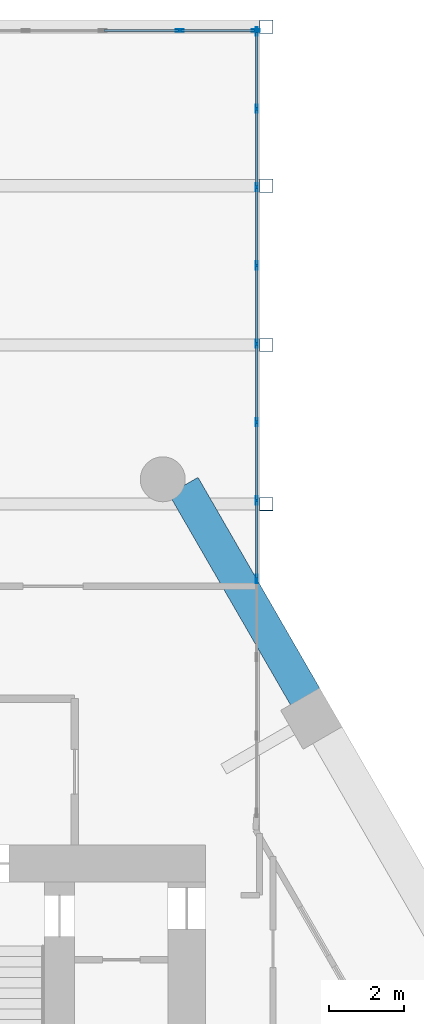
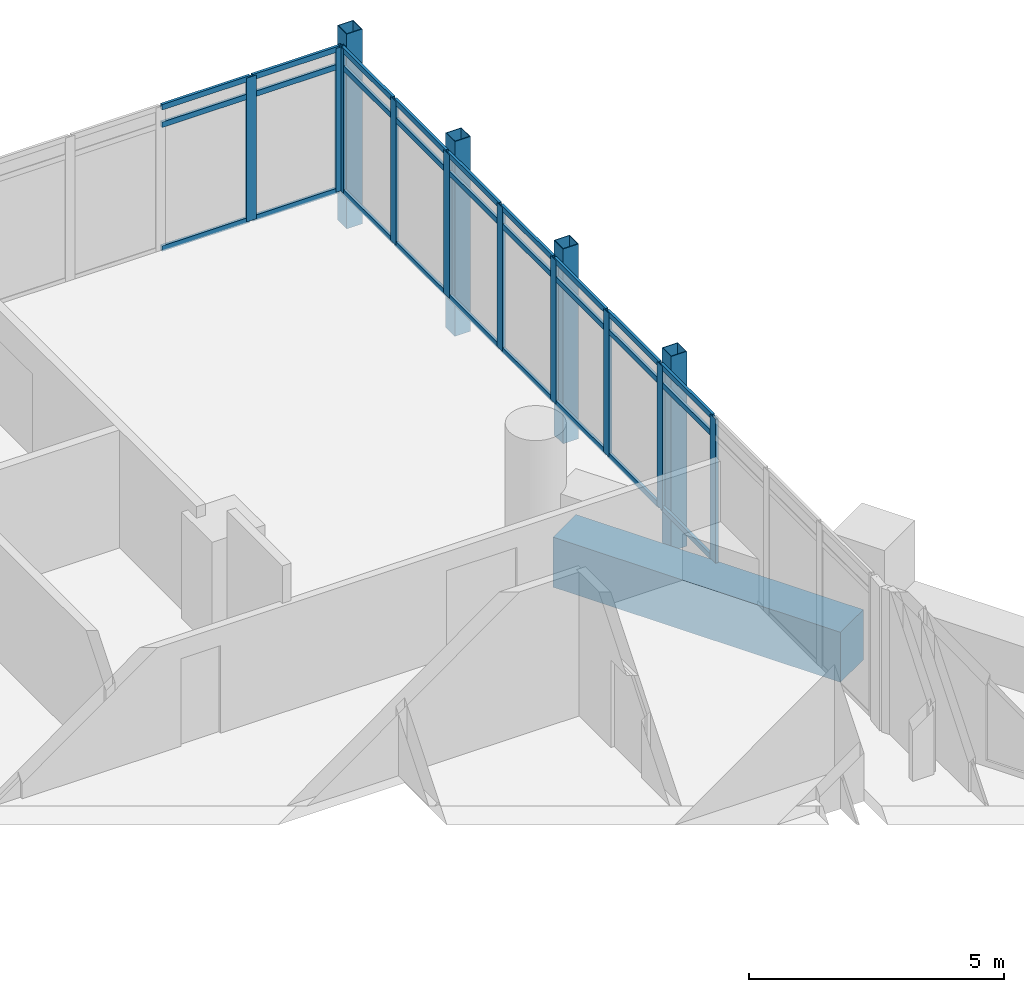
# One storey, part 19 of 28: 41 members, 1 beam, 2 elements without a shape of their own.
"""IFC4 building model written with IfcOpenShell, lengths in metres."""

from ifc_helpers import new_model, si_unit, direction, frame, origin, origin_2d, place, context, subcontext, project, spatial, rectangle, hollow_rectangle, extrude, material, material_profile, profile_set, type_object, element, aggregate, save


model = new_model("IFC4")

# Units and contexts
model_context = context("Model", 3, precision=1e-05, world=origin(), true_north=direction((0.0, 1.0)))
body_context = subcontext(model_context, "Body", "Model", "MODEL_VIEW")
ifc_project = project(units=[si_unit("LENGTHUNIT", "METRE"), si_unit("AREAUNIT", "SQUARE_METRE"), si_unit("VOLUMEUNIT", "CUBIC_METRE"), si_unit("PLANEANGLEUNIT", "RADIAN"), si_unit("MASSUNIT", "GRAM", prefix="KILO")], contexts=[model_context])

# Site, building, storey
site_placement = place(None, origin())
site = spatial("IfcSite", under=ifc_project, at=site_placement, CompositionType="ELEMENT")
building_placement = place(site_placement, origin())
building = spatial("IfcBuilding", under=site, at=building_placement, Name="Ostrander Bayou Hotel Tower", CompositionType="ELEMENT")
storey_placement = place(building_placement, frame((0.0, 0.0, 104.25)))
storey = spatial("IfcBuildingStorey", under=building, at=storey_placement, Name="L26", CompositionType="ELEMENT", Elevation=104.25)

# Curtain wall, members
ifc_material_1 = material(Name="Aluminium and clear glass", Category="aluminium")
curtain_wall_type = type_object("IfcCurtainWallType", Name="CW-BAR glazed wall", PredefinedType="NOTDEFINED", material=ifc_material_1)
curtain_wall_1_placement = place(storey_placement, origin())
curtain_wall_1 = element("IfcCurtainWall", 1, at=curtain_wall_1_placement, inside=storey, type_object=curtain_wall_type, Name="CW-BAR L26:SB2N:T", PredefinedType="NOTDEFINED")
ifc_material_2 = material(Name="Aluminium", Category="aluminium")
ifc_material_profile_1 = material_profile(ifc_material_2, hollow_rectangle(XDim=0.06005859375, YDim=0.219970703125, WallThickness=0.00390625, at=origin_2d()))
ifc_profile_set_1 = profile_set([ifc_material_profile_1], Name="Aluminium")
member_type_1 = type_object("IfcMemberType", Name="CW-BR mullion 60 x 220 mm", PredefinedType="MULLION", material=ifc_profile_set_1)
member_1_placement = place(storey_placement, frame((11.310791015625, 31.4453125, 0.0), z_axis=(0.0, 0.0, 1.0), x_axis=(0.0, 1.0, 0.0)))
member_1 = element("IfcMember", 2, at=member_1_placement, type_object=member_type_1, Name="CW-BAR mullion 13", PredefinedType="MULLION", context=body_context, shape_type="SweptSolid", body=[
    extrude(hollow_rectangle(XDim=0.06005859375, YDim=0.219970703125, WallThickness=0.00390625, at=origin_2d()), origin(), (0.0, 0.0, 1.0), 3.449951171875),
])
member_2_placement = place(storey_placement, frame((13.337158203125, 31.4453125, 0.0), z_axis=(0.0, 0.0, 1.0), x_axis=(0.0, 1.0, 0.0)))
member_2 = element("IfcMember", 3, at=member_2_placement, type_object=member_type_1, Name="CW-BAR mullion 14", PredefinedType="MULLION", context=body_context, shape_type="SweptSolid", body=[
    extrude(hollow_rectangle(XDim=0.06005859375, YDim=0.219970703125, WallThickness=0.00390625, at=origin_2d()), origin(), (0.0, 0.0, 1.0), 3.449951171875),
])

curtain_wall_2_placement = place(storey_placement, origin())
curtain_wall_2 = element("IfcCurtainWall", 4, at=curtain_wall_2_placement, inside=storey, type_object=curtain_wall_type, Name="CW-BAR L26:SB2N:W", PredefinedType="NOTDEFINED")
member_3_placement = place(storey_placement, frame((13.3671875, 16.797607421875, 0.0), z_axis=(0.0, 0.0, 1.0), x_axis=(-1.0, 0.0, 0.0)))
member_3 = element("IfcMember", 5, at=member_3_placement, type_object=member_type_1, Name="CW-BAR mullion 4", PredefinedType="MULLION", context=body_context, shape_type="SweptSolid", body=[
    extrude(hollow_rectangle(XDim=0.06005859375, YDim=0.219970703125, WallThickness=0.00390625, at=origin_2d()), origin(), (0.0, 0.0, 1.0), 3.449951171875),
])
member_4_placement = place(storey_placement, frame((13.3671875, 18.89013671875, 0.0), z_axis=(0.0, 0.0, 1.0), x_axis=(-1.0, 0.0, 0.0)))
member_4 = element("IfcMember", 6, at=member_4_placement, type_object=member_type_1, Name="CW-BAR mullion 5", PredefinedType="MULLION", context=body_context, shape_type="SweptSolid", body=[
    extrude(hollow_rectangle(XDim=0.06005859375, YDim=0.219970703125, WallThickness=0.00390625, at=origin_2d()), origin(), (0.0, 0.0, 1.0), 3.449951171875),
])
member_5_placement = place(storey_placement, frame((13.3671875, 20.982666015625, 0.0), z_axis=(0.0, 0.0, 1.0), x_axis=(-1.0, 0.0, 0.0)))
member_5 = element("IfcMember", 7, at=member_5_placement, type_object=member_type_1, Name="CW-BAR mullion 6", PredefinedType="MULLION", context=body_context, shape_type="SweptSolid", body=[
    extrude(hollow_rectangle(XDim=0.06005859375, YDim=0.219970703125, WallThickness=0.00390625, at=origin_2d()), origin(), (0.0, 0.0, 1.0), 3.449951171875),
])
member_6_placement = place(storey_placement, frame((13.3671875, 23.0751953125, 0.0), z_axis=(0.0, 0.0, 1.0), x_axis=(-1.0, 0.0, 0.0)))
member_6 = element("IfcMember", 8, at=member_6_placement, type_object=member_type_1, Name="CW-BAR mullion 7", PredefinedType="MULLION", context=body_context, shape_type="SweptSolid", body=[
    extrude(hollow_rectangle(XDim=0.06005859375, YDim=0.219970703125, WallThickness=0.00390625, at=origin_2d()), origin(), (0.0, 0.0, 1.0), 3.449951171875),
])
member_7_placement = place(storey_placement, frame((13.3671875, 25.167724609375, 0.0), z_axis=(0.0, 0.0, 1.0), x_axis=(-1.0, 0.0, 0.0)))
member_7 = element("IfcMember", 9, at=member_7_placement, type_object=member_type_1, Name="CW-BAR mullion 8", PredefinedType="MULLION", context=body_context, shape_type="SweptSolid", body=[
    extrude(hollow_rectangle(XDim=0.06005859375, YDim=0.219970703125, WallThickness=0.00390625, at=origin_2d()), origin(), (0.0, 0.0, 1.0), 3.449951171875),
])
member_8_placement = place(storey_placement, frame((13.3671875, 27.26025390625, 0.0), z_axis=(0.0, 0.0, 1.0), x_axis=(-1.0, 0.0, 0.0)))
member_8 = element("IfcMember", 10, at=member_8_placement, type_object=member_type_1, Name="CW-BAR mullion 9", PredefinedType="MULLION", context=body_context, shape_type="SweptSolid", body=[
    extrude(hollow_rectangle(XDim=0.06005859375, YDim=0.219970703125, WallThickness=0.00390625, at=origin_2d()), origin(), (0.0, 0.0, 1.0), 3.449951171875),
])
member_9_placement = place(storey_placement, frame((13.3671875, 29.352783203125, 0.0), z_axis=(0.0, 0.0, 1.0), x_axis=(-1.0, 0.0, 0.0)))
member_9 = element("IfcMember", 11, at=member_9_placement, type_object=member_type_1, Name="CW-BAR mullion 10", PredefinedType="MULLION", context=body_context, shape_type="SweptSolid", body=[
    extrude(hollow_rectangle(XDim=0.06005859375, YDim=0.219970703125, WallThickness=0.00390625, at=origin_2d()), origin(), (0.0, 0.0, 1.0), 3.449951171875),
])
member_10_placement = place(storey_placement, frame((13.3671875, 31.415283203125, 0.0), z_axis=(0.0, 0.0, 1.0), x_axis=(-1.0, 0.0, 0.0)))
member_10 = element("IfcMember", 12, at=member_10_placement, type_object=member_type_1, Name="CW-BAR mullion 11", PredefinedType="MULLION", context=body_context, shape_type="SweptSolid", body=[
    extrude(hollow_rectangle(XDim=0.06005859375, YDim=0.219970703125, WallThickness=0.00390625, at=origin_2d()), origin(), (0.0, 0.0, 1.0), 3.449951171875),
])

# Member
ifc_material_3 = material(Name="Aluminium", Category="aluminium")
ifc_material_profile_2 = material_profile(ifc_material_3, hollow_rectangle(XDim=0.06005859375, YDim=0.1298828125, WallThickness=0.00390625, at=origin_2d()))
ifc_profile_set_2 = profile_set([ifc_material_profile_2], Name="Aluminium")
member_type_2 = type_object("IfcMemberType", Name="CW-BR transom 60 x 130 mm", PredefinedType="USERDEFINED", material=ifc_profile_set_2)
member_11_placement = place(storey_placement, frame((9.2841796875, 31.4453125, 0.030029296875), z_axis=(1.0, 0.0, 0.0), x_axis=(0.0, 1.0, 0.0)))
member_11 = element("IfcMember", 13, at=member_11_placement, type_object=member_type_2, Name="CW-BAR transom 12.1", ObjectType="TRANSOM", PredefinedType="USERDEFINED", context=body_context, shape_type="SweptSolid", body=[
    extrude(hollow_rectangle(XDim=0.06005859375, YDim=0.1298828125, WallThickness=0.00390625, at=origin_2d()), origin(), (0.0, 0.0, 1.0), 1.99658203125),
])

member_12_placement = place(storey_placement, frame((9.2841796875, 31.4453125, 3.0), z_axis=(1.0, 0.0, 0.0), x_axis=(0.0, 1.0, 0.0)))
member_12 = element("IfcMember", 14, at=member_12_placement, type_object=member_type_2, Name="CW-BAR transom 12.2", ObjectType="TRANSOM", PredefinedType="USERDEFINED", context=body_context, shape_type="SweptSolid", body=[
    extrude(hollow_rectangle(XDim=0.06005859375, YDim=0.1298828125, WallThickness=0.00390625, at=origin_2d()), origin(), (0.0, 0.0, 1.0), 1.99658203125),
])

member_13_placement = place(storey_placement, frame((9.2841796875, 31.4453125, 3.419921875), z_axis=(1.0, 0.0, 0.0), x_axis=(0.0, 1.0, 0.0)))
member_13 = element("IfcMember", 15, at=member_13_placement, type_object=member_type_2, Name="CW-BAR transom 12.3", ObjectType="TRANSOM", PredefinedType="USERDEFINED", context=body_context, shape_type="SweptSolid", body=[
    extrude(hollow_rectangle(XDim=0.06005859375, YDim=0.1298828125, WallThickness=0.00390625, at=origin_2d()), origin(), (0.0, 0.0, 1.0), 1.99658203125),
])

member_14_placement = place(storey_placement, frame((11.3408203125, 31.4453125, 0.030029296875), z_axis=(1.0, 0.0, 0.0), x_axis=(0.0, 1.0, 0.0)))
member_14 = element("IfcMember", 16, at=member_14_placement, type_object=member_type_2, Name="CW-BAR transom 13.1", ObjectType="TRANSOM", PredefinedType="USERDEFINED", context=body_context, shape_type="SweptSolid", body=[
    extrude(hollow_rectangle(XDim=0.06005859375, YDim=0.1298828125, WallThickness=0.00390625, at=origin_2d()), origin(), (0.0, 0.0, 1.0), 1.96630859375),
])

member_15_placement = place(storey_placement, frame((11.3408203125, 31.4453125, 3.0), z_axis=(1.0, 0.0, 0.0), x_axis=(0.0, 1.0, 0.0)))
member_15 = element("IfcMember", 17, at=member_15_placement, type_object=member_type_2, Name="CW-BAR transom 13.2", ObjectType="TRANSOM", PredefinedType="USERDEFINED", context=body_context, shape_type="SweptSolid", body=[
    extrude(hollow_rectangle(XDim=0.06005859375, YDim=0.1298828125, WallThickness=0.00390625, at=origin_2d()), origin(), (0.0, 0.0, 1.0), 1.96630859375),
])

member_16_placement = place(storey_placement, frame((11.3408203125, 31.4453125, 3.419921875), z_axis=(1.0, 0.0, 0.0), x_axis=(0.0, 1.0, 0.0)))
member_16 = element("IfcMember", 18, at=member_16_placement, type_object=member_type_2, Name="CW-BAR transom 13.3", ObjectType="TRANSOM", PredefinedType="USERDEFINED", context=body_context, shape_type="SweptSolid", body=[
    extrude(hollow_rectangle(XDim=0.06005859375, YDim=0.1298828125, WallThickness=0.00390625, at=origin_2d()), origin(), (0.0, 0.0, 1.0), 1.96630859375),
])

aggregate(curtain_wall_1, [member_1, member_2, member_11, member_12, member_13, member_14, member_15, member_16])

member_17_placement = place(storey_placement, frame((13.3671875, 16.82763671875, 0.030029296875), z_axis=(0.0, 1.0, 0.0), x_axis=(-1.0, 0.0, 0.0)))
member_17 = element("IfcMember", 19, at=member_17_placement, type_object=member_type_2, Name="CW-BAR transom 4.1", ObjectType="TRANSOM", PredefinedType="USERDEFINED", context=body_context, shape_type="SweptSolid", body=[
    extrude(hollow_rectangle(XDim=0.06005859375, YDim=0.1298828125, WallThickness=0.00390625, at=origin_2d()), origin(), (0.0, 0.0, 1.0), 2.032470703125),
])

member_18_placement = place(storey_placement, frame((13.3671875, 16.82763671875, 3.0), z_axis=(0.0, 1.0, 0.0), x_axis=(-1.0, 0.0, 0.0)))
member_18 = element("IfcMember", 20, at=member_18_placement, type_object=member_type_2, Name="CW-BAR transom 4.2", ObjectType="TRANSOM", PredefinedType="USERDEFINED", context=body_context, shape_type="SweptSolid", body=[
    extrude(hollow_rectangle(XDim=0.06005859375, YDim=0.1298828125, WallThickness=0.00390625, at=origin_2d()), origin(), (0.0, 0.0, 1.0), 2.032470703125),
])

member_19_placement = place(storey_placement, frame((13.3671875, 16.82763671875, 3.419921875), z_axis=(0.0, 1.0, 0.0), x_axis=(-1.0, 0.0, 0.0)))
member_19 = element("IfcMember", 21, at=member_19_placement, type_object=member_type_2, Name="CW-BAR transom 4.3", ObjectType="TRANSOM", PredefinedType="USERDEFINED", context=body_context, shape_type="SweptSolid", body=[
    extrude(hollow_rectangle(XDim=0.06005859375, YDim=0.1298828125, WallThickness=0.00390625, at=origin_2d()), origin(), (0.0, 0.0, 1.0), 2.032470703125),
])

member_20_placement = place(storey_placement, frame((13.3671875, 18.920166015625, 0.030029296875), z_axis=(0.0, 1.0, 0.0), x_axis=(-1.0, 0.0, 0.0)))
member_20 = element("IfcMember", 22, at=member_20_placement, type_object=member_type_2, Name="CW-BAR transom 5.1", ObjectType="TRANSOM", PredefinedType="USERDEFINED", context=body_context, shape_type="SweptSolid", body=[
    extrude(hollow_rectangle(XDim=0.06005859375, YDim=0.1298828125, WallThickness=0.00390625, at=origin_2d()), origin(), (0.0, 0.0, 1.0), 2.032470703125),
])

member_21_placement = place(storey_placement, frame((13.3671875, 18.920166015625, 3.0), z_axis=(0.0, 1.0, 0.0), x_axis=(-1.0, 0.0, 0.0)))
member_21 = element("IfcMember", 23, at=member_21_placement, type_object=member_type_2, Name="CW-BAR transom 5.2", ObjectType="TRANSOM", PredefinedType="USERDEFINED", context=body_context, shape_type="SweptSolid", body=[
    extrude(hollow_rectangle(XDim=0.06005859375, YDim=0.1298828125, WallThickness=0.00390625, at=origin_2d()), origin(), (0.0, 0.0, 1.0), 2.032470703125),
])

member_22_placement = place(storey_placement, frame((13.3671875, 18.920166015625, 3.419921875), z_axis=(0.0, 1.0, 0.0), x_axis=(-1.0, 0.0, 0.0)))
member_22 = element("IfcMember", 24, at=member_22_placement, type_object=member_type_2, Name="CW-BAR transom 5.3", ObjectType="TRANSOM", PredefinedType="USERDEFINED", context=body_context, shape_type="SweptSolid", body=[
    extrude(hollow_rectangle(XDim=0.06005859375, YDim=0.1298828125, WallThickness=0.00390625, at=origin_2d()), origin(), (0.0, 0.0, 1.0), 2.032470703125),
])

member_23_placement = place(storey_placement, frame((13.3671875, 21.0126953125, 0.030029296875), z_axis=(0.0, 1.0, 0.0), x_axis=(-1.0, 0.0, 0.0)))
member_23 = element("IfcMember", 25, at=member_23_placement, type_object=member_type_2, Name="CW-BAR transom 6.1", ObjectType="TRANSOM", PredefinedType="USERDEFINED", context=body_context, shape_type="SweptSolid", body=[
    extrude(hollow_rectangle(XDim=0.06005859375, YDim=0.1298828125, WallThickness=0.00390625, at=origin_2d()), origin(), (0.0, 0.0, 1.0), 2.032470703125),
])

member_24_placement = place(storey_placement, frame((13.3671875, 21.0126953125, 3.0), z_axis=(0.0, 1.0, 0.0), x_axis=(-1.0, 0.0, 0.0)))
member_24 = element("IfcMember", 26, at=member_24_placement, type_object=member_type_2, Name="CW-BAR transom 6.2", ObjectType="TRANSOM", PredefinedType="USERDEFINED", context=body_context, shape_type="SweptSolid", body=[
    extrude(hollow_rectangle(XDim=0.06005859375, YDim=0.1298828125, WallThickness=0.00390625, at=origin_2d()), origin(), (0.0, 0.0, 1.0), 2.032470703125),
])

member_25_placement = place(storey_placement, frame((13.3671875, 21.0126953125, 3.419921875), z_axis=(0.0, 1.0, 0.0), x_axis=(-1.0, 0.0, 0.0)))
member_25 = element("IfcMember", 27, at=member_25_placement, type_object=member_type_2, Name="CW-BAR transom 6.3", ObjectType="TRANSOM", PredefinedType="USERDEFINED", context=body_context, shape_type="SweptSolid", body=[
    extrude(hollow_rectangle(XDim=0.06005859375, YDim=0.1298828125, WallThickness=0.00390625, at=origin_2d()), origin(), (0.0, 0.0, 1.0), 2.032470703125),
])

member_26_placement = place(storey_placement, frame((13.3671875, 23.105224609375, 0.030029296875), z_axis=(0.0, 1.0, 0.0), x_axis=(-1.0, 0.0, 0.0)))
member_26 = element("IfcMember", 28, at=member_26_placement, type_object=member_type_2, Name="CW-BAR transom 7.1", ObjectType="TRANSOM", PredefinedType="USERDEFINED", context=body_context, shape_type="SweptSolid", body=[
    extrude(hollow_rectangle(XDim=0.06005859375, YDim=0.1298828125, WallThickness=0.00390625, at=origin_2d()), origin(), (0.0, 0.0, 1.0), 2.032470703125),
])

member_27_placement = place(storey_placement, frame((13.3671875, 23.105224609375, 3.0), z_axis=(0.0, 1.0, 0.0), x_axis=(-1.0, 0.0, 0.0)))
member_27 = element("IfcMember", 29, at=member_27_placement, type_object=member_type_2, Name="CW-BAR transom 7.2", ObjectType="TRANSOM", PredefinedType="USERDEFINED", context=body_context, shape_type="SweptSolid", body=[
    extrude(hollow_rectangle(XDim=0.06005859375, YDim=0.1298828125, WallThickness=0.00390625, at=origin_2d()), origin(), (0.0, 0.0, 1.0), 2.032470703125),
])

member_28_placement = place(storey_placement, frame((13.3671875, 23.105224609375, 3.419921875), z_axis=(0.0, 1.0, 0.0), x_axis=(-1.0, 0.0, 0.0)))
member_28 = element("IfcMember", 30, at=member_28_placement, type_object=member_type_2, Name="CW-BAR transom 7.3", ObjectType="TRANSOM", PredefinedType="USERDEFINED", context=body_context, shape_type="SweptSolid", body=[
    extrude(hollow_rectangle(XDim=0.06005859375, YDim=0.1298828125, WallThickness=0.00390625, at=origin_2d()), origin(), (0.0, 0.0, 1.0), 2.032470703125),
])

member_29_placement = place(storey_placement, frame((13.3671875, 25.19775390625, 0.030029296875), z_axis=(0.0, 1.0, 0.0), x_axis=(-1.0, 0.0, 0.0)))
member_29 = element("IfcMember", 31, at=member_29_placement, type_object=member_type_2, Name="CW-BAR transom 8.1", ObjectType="TRANSOM", PredefinedType="USERDEFINED", context=body_context, shape_type="SweptSolid", body=[
    extrude(hollow_rectangle(XDim=0.06005859375, YDim=0.1298828125, WallThickness=0.00390625, at=origin_2d()), origin(), (0.0, 0.0, 1.0), 2.032470703125),
])

member_30_placement = place(storey_placement, frame((13.3671875, 25.19775390625, 3.0), z_axis=(0.0, 1.0, 0.0), x_axis=(-1.0, 0.0, 0.0)))
member_30 = element("IfcMember", 32, at=member_30_placement, type_object=member_type_2, Name="CW-BAR transom 8.2", ObjectType="TRANSOM", PredefinedType="USERDEFINED", context=body_context, shape_type="SweptSolid", body=[
    extrude(hollow_rectangle(XDim=0.06005859375, YDim=0.1298828125, WallThickness=0.00390625, at=origin_2d()), origin(), (0.0, 0.0, 1.0), 2.032470703125),
])

member_31_placement = place(storey_placement, frame((13.3671875, 25.19775390625, 3.419921875), z_axis=(0.0, 1.0, 0.0), x_axis=(-1.0, 0.0, 0.0)))
member_31 = element("IfcMember", 33, at=member_31_placement, type_object=member_type_2, Name="CW-BAR transom 8.3", ObjectType="TRANSOM", PredefinedType="USERDEFINED", context=body_context, shape_type="SweptSolid", body=[
    extrude(hollow_rectangle(XDim=0.06005859375, YDim=0.1298828125, WallThickness=0.00390625, at=origin_2d()), origin(), (0.0, 0.0, 1.0), 2.032470703125),
])

member_32_placement = place(storey_placement, frame((13.3671875, 27.290283203125, 0.030029296875), z_axis=(0.0, 1.0, 0.0), x_axis=(-1.0, 0.0, 0.0)))
member_32 = element("IfcMember", 34, at=member_32_placement, type_object=member_type_2, Name="CW-BAR transom 9.1", ObjectType="TRANSOM", PredefinedType="USERDEFINED", context=body_context, shape_type="SweptSolid", body=[
    extrude(hollow_rectangle(XDim=0.06005859375, YDim=0.1298828125, WallThickness=0.00390625, at=origin_2d()), origin(), (0.0, 0.0, 1.0), 2.032470703125),
])

member_33_placement = place(storey_placement, frame((13.3671875, 27.290283203125, 3.0), z_axis=(0.0, 1.0, 0.0), x_axis=(-1.0, 0.0, 0.0)))
member_33 = element("IfcMember", 35, at=member_33_placement, type_object=member_type_2, Name="CW-BAR transom 9.2", ObjectType="TRANSOM", PredefinedType="USERDEFINED", context=body_context, shape_type="SweptSolid", body=[
    extrude(hollow_rectangle(XDim=0.06005859375, YDim=0.1298828125, WallThickness=0.00390625, at=origin_2d()), origin(), (0.0, 0.0, 1.0), 2.032470703125),
])

member_34_placement = place(storey_placement, frame((13.3671875, 27.290283203125, 3.419921875), z_axis=(0.0, 1.0, 0.0), x_axis=(-1.0, 0.0, 0.0)))
member_34 = element("IfcMember", 36, at=member_34_placement, type_object=member_type_2, Name="CW-BAR transom 9.3", ObjectType="TRANSOM", PredefinedType="USERDEFINED", context=body_context, shape_type="SweptSolid", body=[
    extrude(hollow_rectangle(XDim=0.06005859375, YDim=0.1298828125, WallThickness=0.00390625, at=origin_2d()), origin(), (0.0, 0.0, 1.0), 2.032470703125),
])

member_35_placement = place(storey_placement, frame((13.3671875, 29.3828125, 0.030029296875), z_axis=(0.0, 1.0, 0.0), x_axis=(-1.0, 0.0, 0.0)))
member_35 = element("IfcMember", 37, at=member_35_placement, type_object=member_type_2, Name="CW-BAR transom 10.1", ObjectType="TRANSOM", PredefinedType="USERDEFINED", context=body_context, shape_type="SweptSolid", body=[
    extrude(hollow_rectangle(XDim=0.06005859375, YDim=0.1298828125, WallThickness=0.00390625, at=origin_2d()), origin(), (0.0, 0.0, 1.0), 2.002685546875),
])

member_36_placement = place(storey_placement, frame((13.3671875, 29.3828125, 3.0), z_axis=(0.0, 1.0, 0.0), x_axis=(-1.0, 0.0, 0.0)))
member_36 = element("IfcMember", 38, at=member_36_placement, type_object=member_type_2, Name="CW-BAR transom 10.2", ObjectType="TRANSOM", PredefinedType="USERDEFINED", context=body_context, shape_type="SweptSolid", body=[
    extrude(hollow_rectangle(XDim=0.06005859375, YDim=0.1298828125, WallThickness=0.00390625, at=origin_2d()), origin(), (0.0, 0.0, 1.0), 2.002685546875),
])

member_37_placement = place(storey_placement, frame((13.3671875, 29.3828125, 3.419921875), z_axis=(0.0, 1.0, 0.0), x_axis=(-1.0, 0.0, 0.0)))
member_37 = element("IfcMember", 39, at=member_37_placement, type_object=member_type_2, Name="CW-BAR transom 10.3", ObjectType="TRANSOM", PredefinedType="USERDEFINED", context=body_context, shape_type="SweptSolid", body=[
    extrude(hollow_rectangle(XDim=0.06005859375, YDim=0.1298828125, WallThickness=0.00390625, at=origin_2d()), origin(), (0.0, 0.0, 1.0), 2.002685546875),
])

aggregate(curtain_wall_2, [member_3, member_4, member_5, member_6, member_7, member_8, member_9, member_10, member_17, member_18, member_19, member_20, member_21, member_22, member_23, member_24, member_25, member_26, member_27, member_28, member_29, member_30, member_31, member_32, member_33, member_34, member_35, member_36, member_37])

# Beam
ifc_material_4 = material(Name="Concrete f'c 70 MPa", Category="concrete")
ifc_material_profile_3 = material_profile(ifc_material_4, rectangle(XDim=0.89990234375, YDim=1.199951171875, at=origin_2d()))
ifc_profile_set_3 = profile_set([ifc_material_profile_3], Name="Concrete f'c 70 MPa")
beam_type = type_object("IfcBeamType", Name="SP2 spandrel beam 900 x 1200 mm f'c 70 MPa", PredefinedType="SPANDREL", material=ifc_profile_set_3)
beam_placement = place(storey_placement, frame((14.668701171875, 13.63818359375, -0.60009765625), z_axis=(-0.499971966783, 0.866041588165, 0.0), x_axis=(-0.866041588165, -0.499971966783, 0.0)))
element("IfcBeam", 40, at=beam_placement, inside=storey, type_object=beam_type, Name="SP2 L26 NE-3", PredefinedType="SPANDREL", context=body_context, shape_type="SweptSolid", body=[
    extrude(rectangle(XDim=0.89990234375, YDim=1.199951171875, at=origin_2d()), origin(), (0.0, 0.0, 1.0), 6.521728515625),
])

# Members
ifc_material_5 = material(Name="Steel ASTM A500 Gr C", Category="steel")
ifc_material_profile_4 = material_profile(ifc_material_5, hollow_rectangle(XDim=0.355712890625, YDim=0.355712890625, WallThickness=0.0146484375, at=origin_2d()))
ifc_profile_set_4 = profile_set([ifc_material_profile_4], Name="Steel ASTM A500 Gr C")
member_type_3 = type_object("IfcMemberType", Name="TH1 bar hanger HSS14x14x5/8", PredefinedType="POST", material=ifc_profile_set_4)
for number, where, z_axis, x_axis, name in (
    (41, (13.6201171875, 31.54541015625, -0.921875), (0.0, 0.0, 1.0), (1.0, 0.0, 0.0), "TH1 SB2WB H1-4"),
    (42, (13.6201171875, 27.295654296875, -0.921875), (0.0, 0.0, 1.0), (1.0, 0.0, 0.0), "TH1 SB2WB H2-4"),
    (43, (13.6201171875, 23.0458984375, -0.921875), (0.0, 0.0, 1.0), (1.0, 0.0, 0.0), "TH1 SB2WB H3-4"),
    (44, (13.6201171875, 18.79638671875, -0.921875), (0.0, 0.0, 1.0), (1.0, 0.0, 0.0), "TH1 SB2WB H4-4"),
):
    element("IfcMember", number, at=place(storey_placement, frame(where, z_axis=z_axis, x_axis=x_axis)), inside=storey, type_object=member_type_3, Name=name, PredefinedType="POST", context=body_context, shape_type="SweptSolid", body=[
        extrude(hollow_rectangle(XDim=0.355712890625, YDim=0.355712890625, WallThickness=0.0146484375, at=origin_2d()), origin(), (0.0, 0.0, 1.0), 4.671875),
    ])

save(model, "model.ifc")
